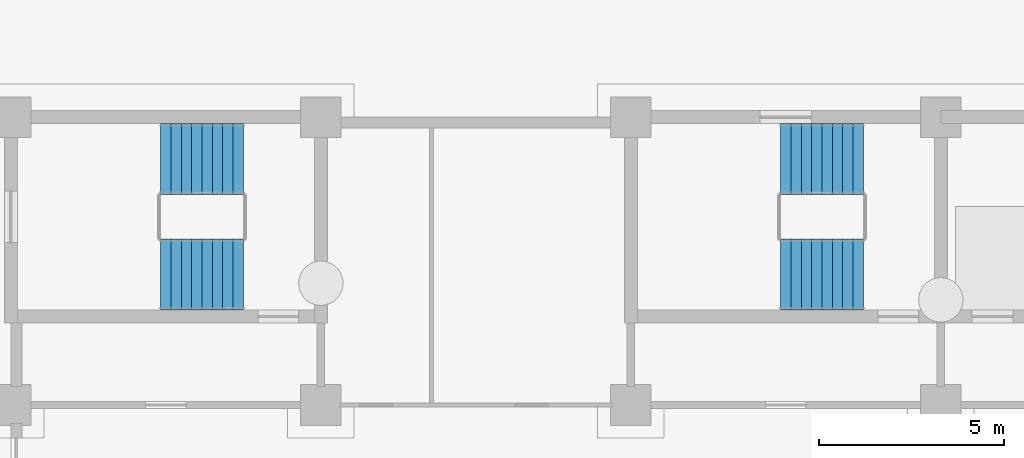
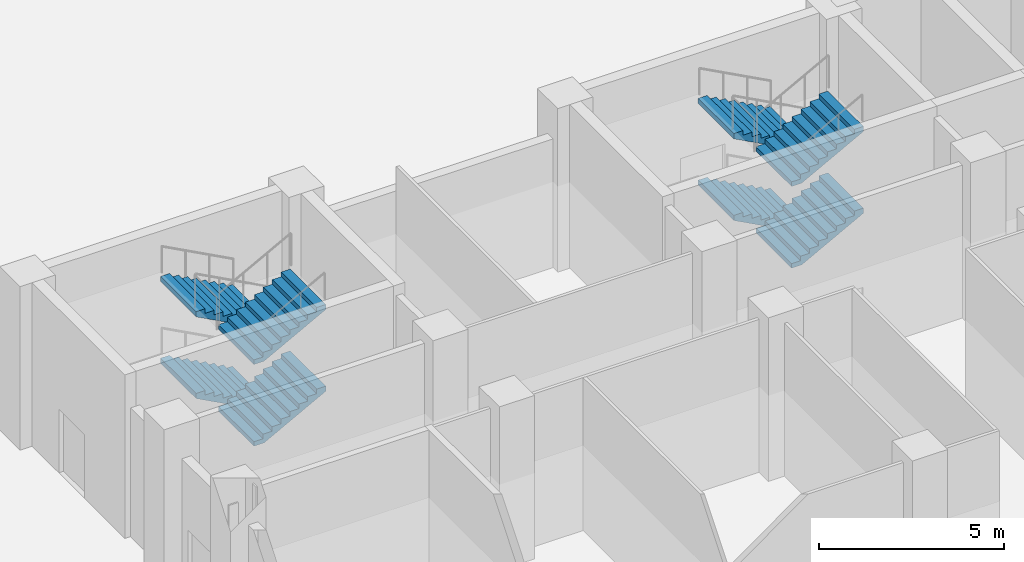
# One storey, part 101 of 146: 8 stair flights, 2 elements without a shape of their own.
"""IFC4 building model written with IfcOpenShell, lengths in metres."""

from ifc_helpers import new_model, si_unit, direction, frame, origin, place, context, subcontext, project, spatial, polyline, outline, extrude, material, type_object, element, aggregate, save


model = new_model("IFC4")

# Units and contexts
model_context = context("Model", 3, precision=1e-05, world=origin(), true_north=direction((0.0, 1.0)))
body_context = subcontext(model_context, "Body", "Model", "MODEL_VIEW")
ifc_project = project(units=[si_unit("LENGTHUNIT", "METRE"), si_unit("AREAUNIT", "SQUARE_METRE"), si_unit("VOLUMEUNIT", "CUBIC_METRE"), si_unit("PLANEANGLEUNIT", "RADIAN"), si_unit("MASSUNIT", "GRAM", prefix="KILO")], contexts=[model_context])

# Site, building, storey
site_placement = place(None, origin())
site = spatial("IfcSite", under=ifc_project, at=site_placement, CompositionType="ELEMENT")
building_placement = place(site_placement, origin())
building = spatial("IfcBuilding", under=site, at=building_placement, Name="Bougainvillea Quay General Hospital", CompositionType="ELEMENT")
storey_placement = place(building_placement, origin())
storey = spatial("IfcBuildingStorey", under=building, at=storey_placement, Name="L00", CompositionType="ELEMENT", Elevation=0.0)

# Stair, stair flights
ifc_material = material(Name="Concrete C35", Category="concrete")
stair_type = type_object("IfcStairType", Name="Stair half-turn 1925 wide", PredefinedType="HALF_TURN_STAIR", material=ifc_material)
stair_1_placement = place(storey_placement, origin())
stair_1 = element("IfcStair", 1, at=stair_1_placement, inside=storey, type_object=stair_type, Name="L00 stair ST-D1", PredefinedType="HALF_TURN_STAIR")
stair_flight_type = type_object("IfcStairFlightType", Name="Stair flight 1925", PredefinedType="STRAIGHT", material=ifc_material)
stair_flight_1_placement = place(storey_placement, frame((65.10009765625, 158.46240234375, 0.0), z_axis=(0.0, 0.0, 1.0), x_axis=(-1.0, 0.0, 0.0)))
stair_flight_1 = element("IfcStairFlight", 2, at=stair_flight_1_placement, type_object=stair_flight_type, Name="ST-D1 flight 1", NumberOfRisers=9, NumberOfTreads=8, PredefinedType="STRAIGHT", RiserHeight=0.15, TreadLength=0.28, context=body_context, shape_type="SweptSolid", body=[
    extrude(outline(polyline([(-0.0029296875, 0.0), (-0.0029296875, 0.003662109375), (-0.0029296875, 0.00732421875), (-0.0029296875, 0.010986328125), (-0.0029296875, 0.0146484375), (-0.0029296875, 0.018310546875), (-0.0029296875, 0.02197265625), (-0.0029296875, 0.025634765625), (-0.0029296875, 0.029296875), (-0.0029296875, 0.032958984375), (-0.0029296875, 0.03662109375), (-0.0029296875, 0.040283203125), (-0.0029296875, 0.0439453125), (-0.0029296875, 0.047607421875), (-0.0029296875, 0.05126953125), (-0.0029296875, 0.054931640625), (-0.0029296875, 0.05859375), (-0.0029296875, 0.062255859375), (-0.0029296875, 0.06591796875), (-0.0029296875, 0.069580078125), (-0.0029296875, 0.0732421875), (-0.0029296875, 0.076904296875), (-0.0029296875, 0.08056640625), (-0.0029296875, 0.084228515625), (-0.0029296875, 0.087890625), (-0.0029296875, 0.091552734375), (-0.0029296875, 0.09521484375), (-0.0029296875, 0.098876953125), (-0.0029296875, 0.1025390625), (-0.0029296875, 0.106201171875), (-0.0029296875, 0.10986328125), (-0.0029296875, 0.113525390625), (-0.0029296875, 0.1171875), (-0.0029296875, 0.120849609375), (-0.0029296875, 0.12451171875), (-0.0029296875, 0.1279296875), (-0.0029296875, 0.131591796875), (-0.0029296875, 0.13525390625), (-0.0029296875, 0.138916015625), (-0.0029296875, 0.142578125), (-0.0029296875, 0.146240234375), (-0.0029296875, 0.14990234375), (0.280029296875, 0.14990234375), (0.280029296875, 0.300048828125), (0.56005859375, 0.300048828125), (0.56005859375, 0.449951171875), (0.840087890625, 0.449951171875), (0.840087890625, 0.60009765625), (1.1201171875, 0.60009765625), (1.1201171875, 0.75), (1.39990234375, 0.75), (1.39990234375, 0.89990234375), (1.679931640625, 0.89990234375), (1.679931640625, 1.050048828125), (1.9599609375, 1.050048828125), (1.9599609375, 1.199951171875), (2.242919921875, 1.199951171875), (2.242919921875, 1.19580078125), (2.242919921875, 1.191650390625), (2.242919921875, 1.1875), (2.242919921875, 1.183349609375), (2.242919921875, 1.17919921875), (2.242919921875, 1.175048828125), (2.242919921875, 1.1708984375), (2.242919921875, 1.166748046875), (2.242919921875, 1.16259765625), (2.242919921875, 1.158447265625), (2.242919921875, 1.154296875), (2.242919921875, 1.150146484375), (2.242919921875, 1.14599609375), (2.242919921875, 1.141845703125), (2.242919921875, 1.1376953125), (2.242919921875, 1.133544921875), (2.242919921875, 1.12939453125), (2.242919921875, 1.125244140625), (2.242919921875, 1.12109375), (2.242919921875, 1.116943359375), (2.242919921875, 1.11279296875), (2.242919921875, 1.108642578125), (2.242919921875, 1.1044921875), (2.242919921875, 1.100341796875), (2.242919921875, 1.09619140625), (2.242919921875, 1.092041015625), (2.242919921875, 1.087890625), (2.242919921875, 1.083984375), (2.242919921875, 1.079833984375), (2.242919921875, 1.07568359375), (2.242919921875, 1.071533203125), (2.242919921875, 1.0673828125), (2.242919921875, 1.063232421875), (2.242919921875, 1.05908203125), (2.242919921875, 1.054931640625), (2.242919921875, 1.05078125), (2.242919921875, 1.046630859375), (2.242919921875, 1.04248046875), (2.242919921875, 1.038330078125), (2.242919921875, 1.0341796875), (2.242919921875, 1.030029296875), (0.3173828125, 0.0), (-0.0029296875, 0.0)])), frame((0.0, 0.96240234375, 0.0), z_axis=(0.0, -1.0, 0.0), x_axis=(1.0, 0.0, 0.0)), (0.0, 0.0, 1.0), 1.925048828125),
])
stair_flight_2_placement = place(storey_placement, frame((62.860107421875, 155.33740234375, 1.35009765625), z_axis=(0.0, 0.0, 1.0), x_axis=(1.0, 0.0, 0.0)))
stair_flight_2 = element("IfcStairFlight", 3, at=stair_flight_2_placement, type_object=stair_flight_type, Name="ST-D1 flight 2", NumberOfRisers=9, NumberOfTreads=8, PredefinedType="STRAIGHT", RiserHeight=0.15, TreadLength=0.28, context=body_context, shape_type="SweptSolid", body=[
    extrude(outline(polyline([(-0.0029296875, 0.0), (-0.0029296875, 0.003662109375), (-0.0029296875, 0.00732421875), (-0.0029296875, 0.010986328125), (-0.0029296875, 0.0146484375), (-0.0029296875, 0.018310546875), (-0.0029296875, 0.02197265625), (-0.0029296875, 0.025634765625), (-0.0029296875, 0.029296875), (-0.0029296875, 0.032958984375), (-0.0029296875, 0.03662109375), (-0.0029296875, 0.040283203125), (-0.0029296875, 0.0439453125), (-0.0029296875, 0.047607421875), (-0.0029296875, 0.05126953125), (-0.0029296875, 0.054931640625), (-0.0029296875, 0.05859375), (-0.0029296875, 0.062255859375), (-0.0029296875, 0.06591796875), (-0.0029296875, 0.069580078125), (-0.0029296875, 0.0732421875), (-0.0029296875, 0.076904296875), (-0.0029296875, 0.08056640625), (-0.0029296875, 0.084228515625), (-0.0029296875, 0.087890625), (-0.0029296875, 0.091552734375), (-0.0029296875, 0.09521484375), (-0.0029296875, 0.098876953125), (-0.0029296875, 0.1025390625), (-0.0029296875, 0.106201171875), (-0.0029296875, 0.10986328125), (-0.0029296875, 0.113525390625), (-0.0029296875, 0.1171875), (-0.0029296875, 0.120849609375), (-0.0029296875, 0.12451171875), (-0.0029296875, 0.1279296875), (-0.0029296875, 0.131591796875), (-0.0029296875, 0.13525390625), (-0.0029296875, 0.138916015625), (-0.0029296875, 0.142578125), (-0.0029296875, 0.146240234375), (-0.0029296875, 0.14990234375), (0.280029296875, 0.14990234375), (0.280029296875, 0.300048828125), (0.56005859375, 0.300048828125), (0.56005859375, 0.449951171875), (0.840087890625, 0.449951171875), (0.840087890625, 0.60009765625), (1.1201171875, 0.60009765625), (1.1201171875, 0.75), (1.39990234375, 0.75), (1.39990234375, 0.89990234375), (1.679931640625, 0.89990234375), (1.679931640625, 1.050048828125), (1.9599609375, 1.050048828125), (1.9599609375, 1.199951171875), (2.242919921875, 1.199951171875), (2.242919921875, 1.19580078125), (2.242919921875, 1.191650390625), (2.242919921875, 1.1875), (2.242919921875, 1.183349609375), (2.242919921875, 1.17919921875), (2.242919921875, 1.175048828125), (2.242919921875, 1.1708984375), (2.242919921875, 1.166748046875), (2.242919921875, 1.16259765625), (2.242919921875, 1.158447265625), (2.242919921875, 1.154296875), (2.242919921875, 1.150146484375), (2.242919921875, 1.14599609375), (2.242919921875, 1.141845703125), (2.242919921875, 1.1376953125), (2.242919921875, 1.133544921875), (2.242919921875, 1.12939453125), (2.242919921875, 1.125244140625), (2.242919921875, 1.12109375), (2.242919921875, 1.116943359375), (2.242919921875, 1.11279296875), (2.242919921875, 1.108642578125), (2.242919921875, 1.1044921875), (2.242919921875, 1.100341796875), (2.242919921875, 1.09619140625), (2.242919921875, 1.092041015625), (2.242919921875, 1.087890625), (2.242919921875, 1.083984375), (2.242919921875, 1.079833984375), (2.242919921875, 1.07568359375), (2.242919921875, 1.071533203125), (2.242919921875, 1.0673828125), (2.242919921875, 1.063232421875), (2.242919921875, 1.05908203125), (2.242919921875, 1.054931640625), (2.242919921875, 1.05078125), (2.242919921875, 1.046630859375), (2.242919921875, 1.04248046875), (2.242919921875, 1.038330078125), (2.242919921875, 1.0341796875), (2.242919921875, 1.030029296875), (0.3173828125, 0.0), (-0.0029296875, 0.0)])), frame((0.0, 0.96240234375, 0.0), z_axis=(0.0, -1.0, 0.0), x_axis=(1.0, 0.0, 0.0)), (0.0, 0.0, 1.0), 1.925048828125),
])
stair_flight_3_placement = place(storey_placement, frame((65.10009765625, 158.46240234375, 2.699951171875), z_axis=(0.0, 0.0, 1.0), x_axis=(-1.0, 0.0, 0.0)))
stair_flight_3 = element("IfcStairFlight", 4, at=stair_flight_3_placement, type_object=stair_flight_type, Name="ST-D1 flight 3", NumberOfRisers=9, NumberOfTreads=8, PredefinedType="STRAIGHT", RiserHeight=0.15, TreadLength=0.28, context=body_context, shape_type="SweptSolid", body=[
    extrude(outline(polyline([(-0.0029296875, 0.0), (-0.0029296875, 0.003662109375), (-0.0029296875, 0.00732421875), (-0.0029296875, 0.010986328125), (-0.0029296875, 0.0146484375), (-0.0029296875, 0.018310546875), (-0.0029296875, 0.02197265625), (-0.0029296875, 0.025634765625), (-0.0029296875, 0.029296875), (-0.0029296875, 0.032958984375), (-0.0029296875, 0.03662109375), (-0.0029296875, 0.040283203125), (-0.0029296875, 0.0439453125), (-0.0029296875, 0.047607421875), (-0.0029296875, 0.05126953125), (-0.0029296875, 0.054931640625), (-0.0029296875, 0.05859375), (-0.0029296875, 0.062255859375), (-0.0029296875, 0.06591796875), (-0.0029296875, 0.069580078125), (-0.0029296875, 0.0732421875), (-0.0029296875, 0.076904296875), (-0.0029296875, 0.08056640625), (-0.0029296875, 0.084228515625), (-0.0029296875, 0.087890625), (-0.0029296875, 0.091552734375), (-0.0029296875, 0.09521484375), (-0.0029296875, 0.098876953125), (-0.0029296875, 0.1025390625), (-0.0029296875, 0.106201171875), (-0.0029296875, 0.10986328125), (-0.0029296875, 0.113525390625), (-0.0029296875, 0.1171875), (-0.0029296875, 0.120849609375), (-0.0029296875, 0.12451171875), (-0.0029296875, 0.1279296875), (-0.0029296875, 0.131591796875), (-0.0029296875, 0.13525390625), (-0.0029296875, 0.138916015625), (-0.0029296875, 0.142578125), (-0.0029296875, 0.146240234375), (-0.0029296875, 0.14990234375), (0.280029296875, 0.14990234375), (0.280029296875, 0.300048828125), (0.56005859375, 0.300048828125), (0.56005859375, 0.449951171875), (0.840087890625, 0.449951171875), (0.840087890625, 0.60009765625), (1.1201171875, 0.60009765625), (1.1201171875, 0.75), (1.39990234375, 0.75), (1.39990234375, 0.89990234375), (1.679931640625, 0.89990234375), (1.679931640625, 1.050048828125), (1.9599609375, 1.050048828125), (1.9599609375, 1.199951171875), (2.242919921875, 1.199951171875), (2.242919921875, 1.19580078125), (2.242919921875, 1.191650390625), (2.242919921875, 1.1875), (2.242919921875, 1.183349609375), (2.242919921875, 1.17919921875), (2.242919921875, 1.175048828125), (2.242919921875, 1.1708984375), (2.242919921875, 1.166748046875), (2.242919921875, 1.16259765625), (2.242919921875, 1.158447265625), (2.242919921875, 1.154296875), (2.242919921875, 1.150146484375), (2.242919921875, 1.14599609375), (2.242919921875, 1.141845703125), (2.242919921875, 1.1376953125), (2.242919921875, 1.133544921875), (2.242919921875, 1.12939453125), (2.242919921875, 1.125244140625), (2.242919921875, 1.12109375), (2.242919921875, 1.116943359375), (2.242919921875, 1.11279296875), (2.242919921875, 1.108642578125), (2.242919921875, 1.1044921875), (2.242919921875, 1.100341796875), (2.242919921875, 1.09619140625), (2.242919921875, 1.092041015625), (2.242919921875, 1.087890625), (2.242919921875, 1.083984375), (2.242919921875, 1.079833984375), (2.242919921875, 1.07568359375), (2.242919921875, 1.071533203125), (2.242919921875, 1.0673828125), (2.242919921875, 1.063232421875), (2.242919921875, 1.05908203125), (2.242919921875, 1.054931640625), (2.242919921875, 1.05078125), (2.242919921875, 1.046630859375), (2.242919921875, 1.04248046875), (2.242919921875, 1.038330078125), (2.242919921875, 1.0341796875), (2.242919921875, 1.030029296875), (0.3173828125, 0.0), (-0.0029296875, 0.0)])), frame((0.0, 0.96240234375, 0.0), z_axis=(0.0, -1.0, 0.0), x_axis=(1.0, 0.0, 0.0)), (0.0, 0.0, 1.0), 1.925048828125),
])
stair_flight_4_placement = place(storey_placement, frame((62.860107421875, 155.33740234375, 4.050048828125), z_axis=(0.0, 0.0, 1.0), x_axis=(1.0, 0.0, 0.0)))
stair_flight_4 = element("IfcStairFlight", 5, at=stair_flight_4_placement, type_object=stair_flight_type, Name="ST-D1 flight 4", NumberOfRisers=9, NumberOfTreads=8, PredefinedType="STRAIGHT", RiserHeight=0.15, TreadLength=0.28, context=body_context, shape_type="SweptSolid", body=[
    extrude(outline(polyline([(-0.0029296875, 0.0), (-0.0029296875, 0.003662109375), (-0.0029296875, 0.00732421875), (-0.0029296875, 0.010986328125), (-0.0029296875, 0.0146484375), (-0.0029296875, 0.018310546875), (-0.0029296875, 0.02197265625), (-0.0029296875, 0.025634765625), (-0.0029296875, 0.029296875), (-0.0029296875, 0.032958984375), (-0.0029296875, 0.03662109375), (-0.0029296875, 0.040283203125), (-0.0029296875, 0.0439453125), (-0.0029296875, 0.047607421875), (-0.0029296875, 0.05126953125), (-0.0029296875, 0.054931640625), (-0.0029296875, 0.05859375), (-0.0029296875, 0.062255859375), (-0.0029296875, 0.06591796875), (-0.0029296875, 0.069580078125), (-0.0029296875, 0.0732421875), (-0.0029296875, 0.076904296875), (-0.0029296875, 0.08056640625), (-0.0029296875, 0.084228515625), (-0.0029296875, 0.087890625), (-0.0029296875, 0.091552734375), (-0.0029296875, 0.09521484375), (-0.0029296875, 0.098876953125), (-0.0029296875, 0.1025390625), (-0.0029296875, 0.106201171875), (-0.0029296875, 0.10986328125), (-0.0029296875, 0.113525390625), (-0.0029296875, 0.1171875), (-0.0029296875, 0.120849609375), (-0.0029296875, 0.12451171875), (-0.0029296875, 0.1279296875), (-0.0029296875, 0.131591796875), (-0.0029296875, 0.13525390625), (-0.0029296875, 0.138916015625), (-0.0029296875, 0.142578125), (-0.0029296875, 0.146240234375), (-0.0029296875, 0.14990234375), (0.280029296875, 0.14990234375), (0.280029296875, 0.300048828125), (0.56005859375, 0.300048828125), (0.56005859375, 0.449951171875), (0.840087890625, 0.449951171875), (0.840087890625, 0.60009765625), (1.1201171875, 0.60009765625), (1.1201171875, 0.75), (1.39990234375, 0.75), (1.39990234375, 0.89990234375), (1.679931640625, 0.89990234375), (1.679931640625, 1.050048828125), (1.9599609375, 1.050048828125), (1.9599609375, 1.199951171875), (2.242919921875, 1.199951171875), (2.242919921875, 1.19580078125), (2.242919921875, 1.191650390625), (2.242919921875, 1.1875), (2.242919921875, 1.183349609375), (2.242919921875, 1.17919921875), (2.242919921875, 1.175048828125), (2.242919921875, 1.1708984375), (2.242919921875, 1.166748046875), (2.242919921875, 1.16259765625), (2.242919921875, 1.158447265625), (2.242919921875, 1.154296875), (2.242919921875, 1.150146484375), (2.242919921875, 1.14599609375), (2.242919921875, 1.141845703125), (2.242919921875, 1.1376953125), (2.242919921875, 1.133544921875), (2.242919921875, 1.12939453125), (2.242919921875, 1.125244140625), (2.242919921875, 1.12109375), (2.242919921875, 1.116943359375), (2.242919921875, 1.11279296875), (2.242919921875, 1.108642578125), (2.242919921875, 1.1044921875), (2.242919921875, 1.100341796875), (2.242919921875, 1.09619140625), (2.242919921875, 1.092041015625), (2.242919921875, 1.087890625), (2.242919921875, 1.083984375), (2.242919921875, 1.079833984375), (2.242919921875, 1.07568359375), (2.242919921875, 1.071533203125), (2.242919921875, 1.0673828125), (2.242919921875, 1.063232421875), (2.242919921875, 1.05908203125), (2.242919921875, 1.054931640625), (2.242919921875, 1.05078125), (2.242919921875, 1.046630859375), (2.242919921875, 1.04248046875), (2.242919921875, 1.038330078125), (2.242919921875, 1.0341796875), (2.242919921875, 1.030029296875), (0.3173828125, 0.0), (-0.0029296875, 0.0)])), frame((0.0, 0.96240234375, 0.0), z_axis=(0.0, -1.0, 0.0), x_axis=(1.0, 0.0, 0.0)), (0.0, 0.0, 1.0), 1.925048828125),
])
aggregate(stair_1, [stair_flight_1, stair_flight_2, stair_flight_3, stair_flight_4])

stair_2_placement = place(storey_placement, origin())
stair_2 = element("IfcStair", 6, at=stair_2_placement, inside=storey, type_object=stair_type, Name="L00 stair ST-A1", PredefinedType="HALF_TURN_STAIR")
stair_flight_5_placement = place(storey_placement, frame((48.300048828125, 158.46240234375, 0.0), z_axis=(0.0, 0.0, 1.0), x_axis=(-1.0, 0.0, 0.0)))
stair_flight_5 = element("IfcStairFlight", 7, at=stair_flight_5_placement, type_object=stair_flight_type, Name="ST-A1 flight 1", NumberOfRisers=9, NumberOfTreads=8, PredefinedType="STRAIGHT", RiserHeight=0.15, TreadLength=0.28, context=body_context, shape_type="SweptSolid", body=[
    extrude(outline(polyline([(-0.0029296875, 0.0), (-0.0029296875, 0.003662109375), (-0.0029296875, 0.00732421875), (-0.0029296875, 0.010986328125), (-0.0029296875, 0.0146484375), (-0.0029296875, 0.018310546875), (-0.0029296875, 0.02197265625), (-0.0029296875, 0.025634765625), (-0.0029296875, 0.029296875), (-0.0029296875, 0.032958984375), (-0.0029296875, 0.03662109375), (-0.0029296875, 0.040283203125), (-0.0029296875, 0.0439453125), (-0.0029296875, 0.047607421875), (-0.0029296875, 0.05126953125), (-0.0029296875, 0.054931640625), (-0.0029296875, 0.05859375), (-0.0029296875, 0.062255859375), (-0.0029296875, 0.06591796875), (-0.0029296875, 0.069580078125), (-0.0029296875, 0.0732421875), (-0.0029296875, 0.076904296875), (-0.0029296875, 0.08056640625), (-0.0029296875, 0.084228515625), (-0.0029296875, 0.087890625), (-0.0029296875, 0.091552734375), (-0.0029296875, 0.09521484375), (-0.0029296875, 0.098876953125), (-0.0029296875, 0.1025390625), (-0.0029296875, 0.106201171875), (-0.0029296875, 0.10986328125), (-0.0029296875, 0.113525390625), (-0.0029296875, 0.1171875), (-0.0029296875, 0.120849609375), (-0.0029296875, 0.12451171875), (-0.0029296875, 0.1279296875), (-0.0029296875, 0.131591796875), (-0.0029296875, 0.13525390625), (-0.0029296875, 0.138916015625), (-0.0029296875, 0.142578125), (-0.0029296875, 0.146240234375), (-0.0029296875, 0.14990234375), (0.280029296875, 0.14990234375), (0.280029296875, 0.300048828125), (0.56005859375, 0.300048828125), (0.56005859375, 0.449951171875), (0.840087890625, 0.449951171875), (0.840087890625, 0.60009765625), (1.1201171875, 0.60009765625), (1.1201171875, 0.75), (1.39990234375, 0.75), (1.39990234375, 0.89990234375), (1.679931640625, 0.89990234375), (1.679931640625, 1.050048828125), (1.9599609375, 1.050048828125), (1.9599609375, 1.199951171875), (2.242919921875, 1.199951171875), (2.242919921875, 1.19580078125), (2.242919921875, 1.191650390625), (2.242919921875, 1.1875), (2.242919921875, 1.183349609375), (2.242919921875, 1.17919921875), (2.242919921875, 1.175048828125), (2.242919921875, 1.1708984375), (2.242919921875, 1.166748046875), (2.242919921875, 1.16259765625), (2.242919921875, 1.158447265625), (2.242919921875, 1.154296875), (2.242919921875, 1.150146484375), (2.242919921875, 1.14599609375), (2.242919921875, 1.141845703125), (2.242919921875, 1.1376953125), (2.242919921875, 1.133544921875), (2.242919921875, 1.12939453125), (2.242919921875, 1.125244140625), (2.242919921875, 1.12109375), (2.242919921875, 1.116943359375), (2.242919921875, 1.11279296875), (2.242919921875, 1.108642578125), (2.242919921875, 1.1044921875), (2.242919921875, 1.100341796875), (2.242919921875, 1.09619140625), (2.242919921875, 1.092041015625), (2.242919921875, 1.087890625), (2.242919921875, 1.083984375), (2.242919921875, 1.079833984375), (2.242919921875, 1.07568359375), (2.242919921875, 1.071533203125), (2.242919921875, 1.0673828125), (2.242919921875, 1.063232421875), (2.242919921875, 1.05908203125), (2.242919921875, 1.054931640625), (2.242919921875, 1.05078125), (2.242919921875, 1.046630859375), (2.242919921875, 1.04248046875), (2.242919921875, 1.038330078125), (2.242919921875, 1.0341796875), (2.242919921875, 1.030029296875), (0.3173828125, 0.0), (-0.0029296875, 0.0)])), frame((0.0, 0.96240234375, 0.0), z_axis=(0.0, -1.0, 0.0), x_axis=(1.0, 0.0, 0.0)), (0.0, 0.0, 1.0), 1.925048828125),
])
stair_flight_6_placement = place(storey_placement, frame((46.06005859375, 155.33740234375, 1.35009765625), z_axis=(0.0, 0.0, 1.0), x_axis=(1.0, 0.0, 0.0)))
stair_flight_6 = element("IfcStairFlight", 8, at=stair_flight_6_placement, type_object=stair_flight_type, Name="ST-A1 flight 2", NumberOfRisers=9, NumberOfTreads=8, PredefinedType="STRAIGHT", RiserHeight=0.15, TreadLength=0.28, context=body_context, shape_type="SweptSolid", body=[
    extrude(outline(polyline([(-0.0029296875, 0.0), (-0.0029296875, 0.003662109375), (-0.0029296875, 0.00732421875), (-0.0029296875, 0.010986328125), (-0.0029296875, 0.0146484375), (-0.0029296875, 0.018310546875), (-0.0029296875, 0.02197265625), (-0.0029296875, 0.025634765625), (-0.0029296875, 0.029296875), (-0.0029296875, 0.032958984375), (-0.0029296875, 0.03662109375), (-0.0029296875, 0.040283203125), (-0.0029296875, 0.0439453125), (-0.0029296875, 0.047607421875), (-0.0029296875, 0.05126953125), (-0.0029296875, 0.054931640625), (-0.0029296875, 0.05859375), (-0.0029296875, 0.062255859375), (-0.0029296875, 0.06591796875), (-0.0029296875, 0.069580078125), (-0.0029296875, 0.0732421875), (-0.0029296875, 0.076904296875), (-0.0029296875, 0.08056640625), (-0.0029296875, 0.084228515625), (-0.0029296875, 0.087890625), (-0.0029296875, 0.091552734375), (-0.0029296875, 0.09521484375), (-0.0029296875, 0.098876953125), (-0.0029296875, 0.1025390625), (-0.0029296875, 0.106201171875), (-0.0029296875, 0.10986328125), (-0.0029296875, 0.113525390625), (-0.0029296875, 0.1171875), (-0.0029296875, 0.120849609375), (-0.0029296875, 0.12451171875), (-0.0029296875, 0.1279296875), (-0.0029296875, 0.131591796875), (-0.0029296875, 0.13525390625), (-0.0029296875, 0.138916015625), (-0.0029296875, 0.142578125), (-0.0029296875, 0.146240234375), (-0.0029296875, 0.14990234375), (0.280029296875, 0.14990234375), (0.280029296875, 0.300048828125), (0.56005859375, 0.300048828125), (0.56005859375, 0.449951171875), (0.840087890625, 0.449951171875), (0.840087890625, 0.60009765625), (1.1201171875, 0.60009765625), (1.1201171875, 0.75), (1.39990234375, 0.75), (1.39990234375, 0.89990234375), (1.679931640625, 0.89990234375), (1.679931640625, 1.050048828125), (1.9599609375, 1.050048828125), (1.9599609375, 1.199951171875), (2.242919921875, 1.199951171875), (2.242919921875, 1.19580078125), (2.242919921875, 1.191650390625), (2.242919921875, 1.1875), (2.242919921875, 1.183349609375), (2.242919921875, 1.17919921875), (2.242919921875, 1.175048828125), (2.242919921875, 1.1708984375), (2.242919921875, 1.166748046875), (2.242919921875, 1.16259765625), (2.242919921875, 1.158447265625), (2.242919921875, 1.154296875), (2.242919921875, 1.150146484375), (2.242919921875, 1.14599609375), (2.242919921875, 1.141845703125), (2.242919921875, 1.1376953125), (2.242919921875, 1.133544921875), (2.242919921875, 1.12939453125), (2.242919921875, 1.125244140625), (2.242919921875, 1.12109375), (2.242919921875, 1.116943359375), (2.242919921875, 1.11279296875), (2.242919921875, 1.108642578125), (2.242919921875, 1.1044921875), (2.242919921875, 1.100341796875), (2.242919921875, 1.09619140625), (2.242919921875, 1.092041015625), (2.242919921875, 1.087890625), (2.242919921875, 1.083984375), (2.242919921875, 1.079833984375), (2.242919921875, 1.07568359375), (2.242919921875, 1.071533203125), (2.242919921875, 1.0673828125), (2.242919921875, 1.063232421875), (2.242919921875, 1.05908203125), (2.242919921875, 1.054931640625), (2.242919921875, 1.05078125), (2.242919921875, 1.046630859375), (2.242919921875, 1.04248046875), (2.242919921875, 1.038330078125), (2.242919921875, 1.0341796875), (2.242919921875, 1.030029296875), (0.3173828125, 0.0), (-0.0029296875, 0.0)])), frame((0.0, 0.96240234375, 0.0), z_axis=(0.0, -1.0, 0.0), x_axis=(1.0, 0.0, 0.0)), (0.0, 0.0, 1.0), 1.925048828125),
])
stair_flight_7_placement = place(storey_placement, frame((48.300048828125, 158.46240234375, 2.699951171875), z_axis=(0.0, 0.0, 1.0), x_axis=(-1.0, 0.0, 0.0)))
stair_flight_7 = element("IfcStairFlight", 9, at=stair_flight_7_placement, type_object=stair_flight_type, Name="ST-A1 flight 3", NumberOfRisers=9, NumberOfTreads=8, PredefinedType="STRAIGHT", RiserHeight=0.15, TreadLength=0.28, context=body_context, shape_type="SweptSolid", body=[
    extrude(outline(polyline([(-0.0029296875, 0.0), (-0.0029296875, 0.003662109375), (-0.0029296875, 0.00732421875), (-0.0029296875, 0.010986328125), (-0.0029296875, 0.0146484375), (-0.0029296875, 0.018310546875), (-0.0029296875, 0.02197265625), (-0.0029296875, 0.025634765625), (-0.0029296875, 0.029296875), (-0.0029296875, 0.032958984375), (-0.0029296875, 0.03662109375), (-0.0029296875, 0.040283203125), (-0.0029296875, 0.0439453125), (-0.0029296875, 0.047607421875), (-0.0029296875, 0.05126953125), (-0.0029296875, 0.054931640625), (-0.0029296875, 0.05859375), (-0.0029296875, 0.062255859375), (-0.0029296875, 0.06591796875), (-0.0029296875, 0.069580078125), (-0.0029296875, 0.0732421875), (-0.0029296875, 0.076904296875), (-0.0029296875, 0.08056640625), (-0.0029296875, 0.084228515625), (-0.0029296875, 0.087890625), (-0.0029296875, 0.091552734375), (-0.0029296875, 0.09521484375), (-0.0029296875, 0.098876953125), (-0.0029296875, 0.1025390625), (-0.0029296875, 0.106201171875), (-0.0029296875, 0.10986328125), (-0.0029296875, 0.113525390625), (-0.0029296875, 0.1171875), (-0.0029296875, 0.120849609375), (-0.0029296875, 0.12451171875), (-0.0029296875, 0.1279296875), (-0.0029296875, 0.131591796875), (-0.0029296875, 0.13525390625), (-0.0029296875, 0.138916015625), (-0.0029296875, 0.142578125), (-0.0029296875, 0.146240234375), (-0.0029296875, 0.14990234375), (0.280029296875, 0.14990234375), (0.280029296875, 0.300048828125), (0.56005859375, 0.300048828125), (0.56005859375, 0.449951171875), (0.840087890625, 0.449951171875), (0.840087890625, 0.60009765625), (1.1201171875, 0.60009765625), (1.1201171875, 0.75), (1.39990234375, 0.75), (1.39990234375, 0.89990234375), (1.679931640625, 0.89990234375), (1.679931640625, 1.050048828125), (1.9599609375, 1.050048828125), (1.9599609375, 1.199951171875), (2.242919921875, 1.199951171875), (2.242919921875, 1.19580078125), (2.242919921875, 1.191650390625), (2.242919921875, 1.1875), (2.242919921875, 1.183349609375), (2.242919921875, 1.17919921875), (2.242919921875, 1.175048828125), (2.242919921875, 1.1708984375), (2.242919921875, 1.166748046875), (2.242919921875, 1.16259765625), (2.242919921875, 1.158447265625), (2.242919921875, 1.154296875), (2.242919921875, 1.150146484375), (2.242919921875, 1.14599609375), (2.242919921875, 1.141845703125), (2.242919921875, 1.1376953125), (2.242919921875, 1.133544921875), (2.242919921875, 1.12939453125), (2.242919921875, 1.125244140625), (2.242919921875, 1.12109375), (2.242919921875, 1.116943359375), (2.242919921875, 1.11279296875), (2.242919921875, 1.108642578125), (2.242919921875, 1.1044921875), (2.242919921875, 1.100341796875), (2.242919921875, 1.09619140625), (2.242919921875, 1.092041015625), (2.242919921875, 1.087890625), (2.242919921875, 1.083984375), (2.242919921875, 1.079833984375), (2.242919921875, 1.07568359375), (2.242919921875, 1.071533203125), (2.242919921875, 1.0673828125), (2.242919921875, 1.063232421875), (2.242919921875, 1.05908203125), (2.242919921875, 1.054931640625), (2.242919921875, 1.05078125), (2.242919921875, 1.046630859375), (2.242919921875, 1.04248046875), (2.242919921875, 1.038330078125), (2.242919921875, 1.0341796875), (2.242919921875, 1.030029296875), (0.3173828125, 0.0), (-0.0029296875, 0.0)])), frame((0.0, 0.96240234375, 0.0), z_axis=(0.0, -1.0, 0.0), x_axis=(1.0, 0.0, 0.0)), (0.0, 0.0, 1.0), 1.925048828125),
])
stair_flight_8_placement = place(storey_placement, frame((46.06005859375, 155.33740234375, 4.050048828125), z_axis=(0.0, 0.0, 1.0), x_axis=(1.0, 0.0, 0.0)))
stair_flight_8 = element("IfcStairFlight", 10, at=stair_flight_8_placement, type_object=stair_flight_type, Name="ST-A1 flight 4", NumberOfRisers=9, NumberOfTreads=8, PredefinedType="STRAIGHT", RiserHeight=0.15, TreadLength=0.28, context=body_context, shape_type="SweptSolid", body=[
    extrude(outline(polyline([(-0.0029296875, 0.0), (-0.0029296875, 0.003662109375), (-0.0029296875, 0.00732421875), (-0.0029296875, 0.010986328125), (-0.0029296875, 0.0146484375), (-0.0029296875, 0.018310546875), (-0.0029296875, 0.02197265625), (-0.0029296875, 0.025634765625), (-0.0029296875, 0.029296875), (-0.0029296875, 0.032958984375), (-0.0029296875, 0.03662109375), (-0.0029296875, 0.040283203125), (-0.0029296875, 0.0439453125), (-0.0029296875, 0.047607421875), (-0.0029296875, 0.05126953125), (-0.0029296875, 0.054931640625), (-0.0029296875, 0.05859375), (-0.0029296875, 0.062255859375), (-0.0029296875, 0.06591796875), (-0.0029296875, 0.069580078125), (-0.0029296875, 0.0732421875), (-0.0029296875, 0.076904296875), (-0.0029296875, 0.08056640625), (-0.0029296875, 0.084228515625), (-0.0029296875, 0.087890625), (-0.0029296875, 0.091552734375), (-0.0029296875, 0.09521484375), (-0.0029296875, 0.098876953125), (-0.0029296875, 0.1025390625), (-0.0029296875, 0.106201171875), (-0.0029296875, 0.10986328125), (-0.0029296875, 0.113525390625), (-0.0029296875, 0.1171875), (-0.0029296875, 0.120849609375), (-0.0029296875, 0.12451171875), (-0.0029296875, 0.1279296875), (-0.0029296875, 0.131591796875), (-0.0029296875, 0.13525390625), (-0.0029296875, 0.138916015625), (-0.0029296875, 0.142578125), (-0.0029296875, 0.146240234375), (-0.0029296875, 0.14990234375), (0.280029296875, 0.14990234375), (0.280029296875, 0.300048828125), (0.56005859375, 0.300048828125), (0.56005859375, 0.449951171875), (0.840087890625, 0.449951171875), (0.840087890625, 0.60009765625), (1.1201171875, 0.60009765625), (1.1201171875, 0.75), (1.39990234375, 0.75), (1.39990234375, 0.89990234375), (1.679931640625, 0.89990234375), (1.679931640625, 1.050048828125), (1.9599609375, 1.050048828125), (1.9599609375, 1.199951171875), (2.242919921875, 1.199951171875), (2.242919921875, 1.19580078125), (2.242919921875, 1.191650390625), (2.242919921875, 1.1875), (2.242919921875, 1.183349609375), (2.242919921875, 1.17919921875), (2.242919921875, 1.175048828125), (2.242919921875, 1.1708984375), (2.242919921875, 1.166748046875), (2.242919921875, 1.16259765625), (2.242919921875, 1.158447265625), (2.242919921875, 1.154296875), (2.242919921875, 1.150146484375), (2.242919921875, 1.14599609375), (2.242919921875, 1.141845703125), (2.242919921875, 1.1376953125), (2.242919921875, 1.133544921875), (2.242919921875, 1.12939453125), (2.242919921875, 1.125244140625), (2.242919921875, 1.12109375), (2.242919921875, 1.116943359375), (2.242919921875, 1.11279296875), (2.242919921875, 1.108642578125), (2.242919921875, 1.1044921875), (2.242919921875, 1.100341796875), (2.242919921875, 1.09619140625), (2.242919921875, 1.092041015625), (2.242919921875, 1.087890625), (2.242919921875, 1.083984375), (2.242919921875, 1.079833984375), (2.242919921875, 1.07568359375), (2.242919921875, 1.071533203125), (2.242919921875, 1.0673828125), (2.242919921875, 1.063232421875), (2.242919921875, 1.05908203125), (2.242919921875, 1.054931640625), (2.242919921875, 1.05078125), (2.242919921875, 1.046630859375), (2.242919921875, 1.04248046875), (2.242919921875, 1.038330078125), (2.242919921875, 1.0341796875), (2.242919921875, 1.030029296875), (0.3173828125, 0.0), (-0.0029296875, 0.0)])), frame((0.0, 0.96240234375, 0.0), z_axis=(0.0, -1.0, 0.0), x_axis=(1.0, 0.0, 0.0)), (0.0, 0.0, 1.0), 1.925048828125),
])
aggregate(stair_2, [stair_flight_5, stair_flight_6, stair_flight_7, stair_flight_8])

save(model, "model.ifc")
